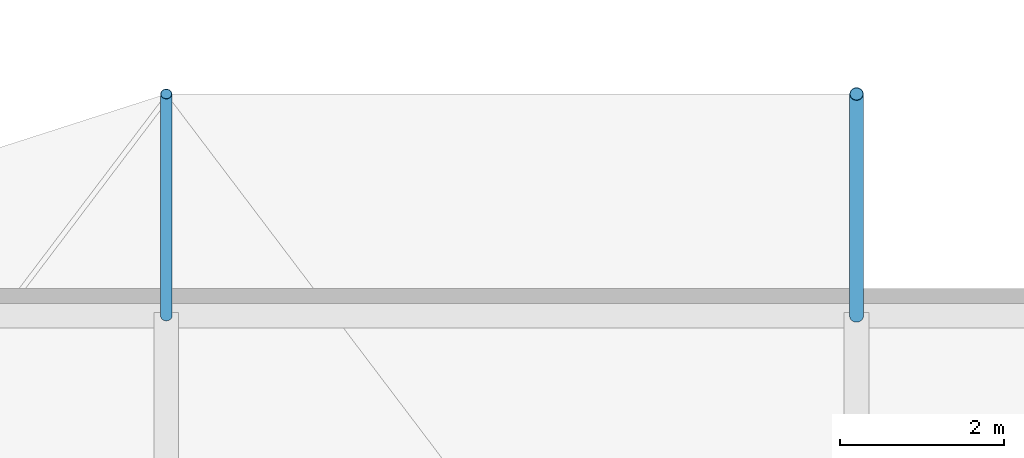
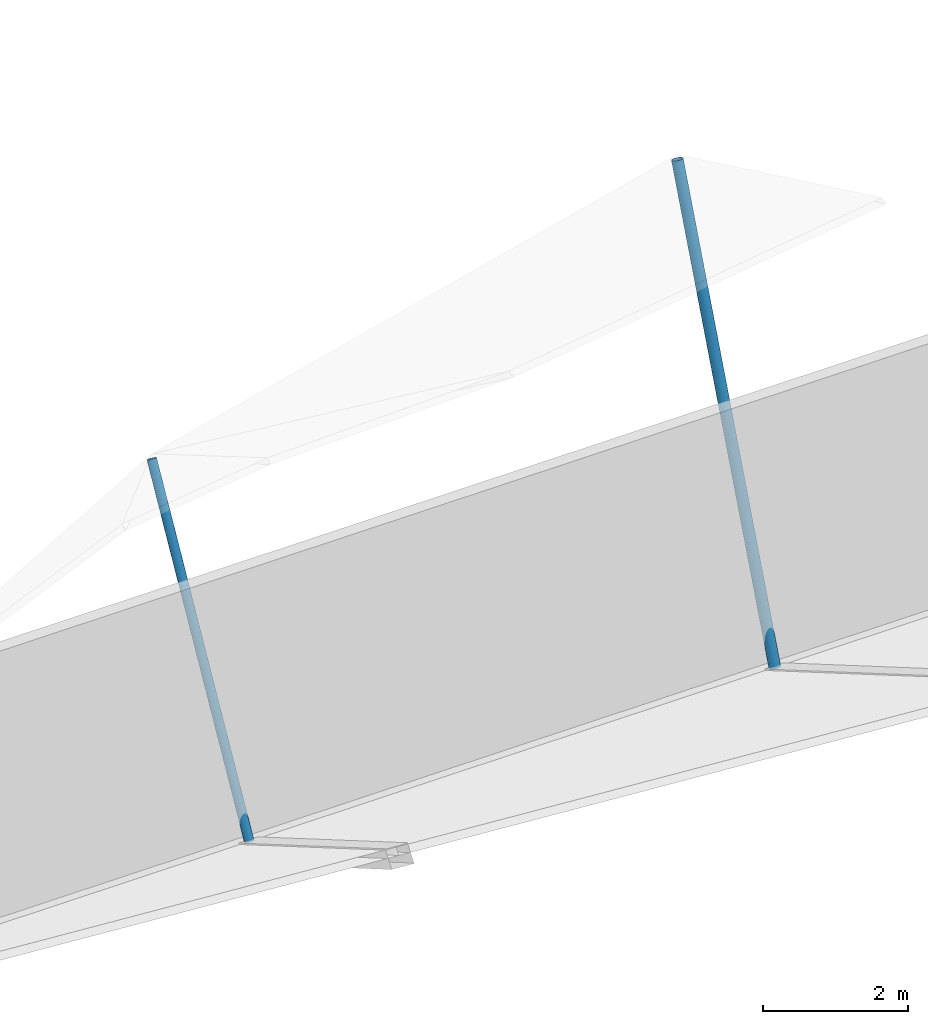
# One storey, part 94 of 111: 2 discrete accessories.
"""IFC4 building model written with IfcOpenShell, lengths in metres."""

from ifc_helpers import new_model, si_unit, direction, frame, origin, origin_2d, place, context, subcontext, project, spatial, hollow_circle, extrude, material, material_profile, profile_set, type_object, element, save


model = new_model("IFC4")

# Units and contexts
model_context = context("Model", 3, precision=1e-05, world=origin(), true_north=direction((0.0, 1.0)))
body_context = subcontext(model_context, "Body", "Model", "MODEL_VIEW")
ifc_project = project(units=[si_unit("LENGTHUNIT", "METRE"), si_unit("AREAUNIT", "SQUARE_METRE"), si_unit("VOLUMEUNIT", "CUBIC_METRE"), si_unit("PLANEANGLEUNIT", "RADIAN"), si_unit("MASSUNIT", "GRAM", prefix="KILO")], contexts=[model_context])

# Site, building, storey
site_placement = place(None, origin())
site = spatial("IfcSite", under=ifc_project, at=site_placement, CompositionType="ELEMENT")
building_placement = place(site_placement, origin())
building = spatial("IfcBuilding", under=site, at=building_placement, Name="Rain Tree Exposition and Congress Centre", CompositionType="ELEMENT")
storey_placement = place(building_placement, frame((0.0, 0.0, 19.5)))
storey = spatial("IfcBuildingStorey", under=building, at=storey_placement, Name="RF", CompositionType="ELEMENT", Elevation=19.5)

# Discrete accessories
ifc_material_1 = material(Name="Steel S355J2H", Category="steel")
ifc_material_profile_1 = material_profile(ifc_material_1, hollow_circle(Radius=0.06982421875, WallThickness=0.0048828125, at=origin_2d()), Name="CHS 140x5")
ifc_profile_set_1 = profile_set([ifc_material_profile_1], Name="Steel S355J2H")
discrete_accessory_type_1 = type_object("IfcDiscreteAccessoryType", Name="Roof skin post CHS 140x5", PredefinedType="BRACKET", material=ifc_profile_set_1)
discrete_accessory_1_placement = place(storey_placement, frame((176.39990234375, 201.60009765625, 0.5), z_axis=(0.0, 0.487911337931, 0.872893192962), x_axis=(-1.0, 0.0, 0.0)))
element("IfcDiscreteAccessory", 1, at=discrete_accessory_1_placement, inside=storey, type_object=discrete_accessory_type_1, Name="Roof skin post B161", PredefinedType="BRACKET", context=body_context, shape_type="SweptSolid", body=[
    extrude(hollow_circle(Radius=0.06982421875, WallThickness=0.0048828125, at=origin_2d()), origin(), (0.0, 0.0, 1.0), 5.53369140625),
])
ifc_material_2 = material(Name="Steel S355J2H", Category="steel")
ifc_material_profile_2 = material_profile(ifc_material_2, hollow_circle(Radius=0.084228515625, WallThickness=0.006103515625, at=origin_2d()), Name="CHS 168x6")
ifc_profile_set_2 = profile_set([ifc_material_profile_2], Name="Steel S355J2H")
discrete_accessory_type_2 = type_object("IfcDiscreteAccessoryType", Name="Roof skin post CHS 168x6", PredefinedType="BRACKET", material=ifc_profile_set_2)
discrete_accessory_2_placement = place(storey_placement, frame((184.800048828125, 201.60009765625, 0.5), z_axis=(0.0, 0.36216336243, 0.932114638289), x_axis=(-1.0, 0.0, 0.0)))
element("IfcDiscreteAccessory", 2, at=discrete_accessory_2_placement, inside=storey, type_object=discrete_accessory_type_2, Name="Roof skin post B162", PredefinedType="BRACKET", context=body_context, shape_type="SweptSolid", body=[
    extrude(hollow_circle(Radius=0.084228515625, WallThickness=0.006103515625, at=origin_2d()), origin(), (0.0, 0.0, 1.0), 7.455078125),
])

save(model, "model.ifc")
